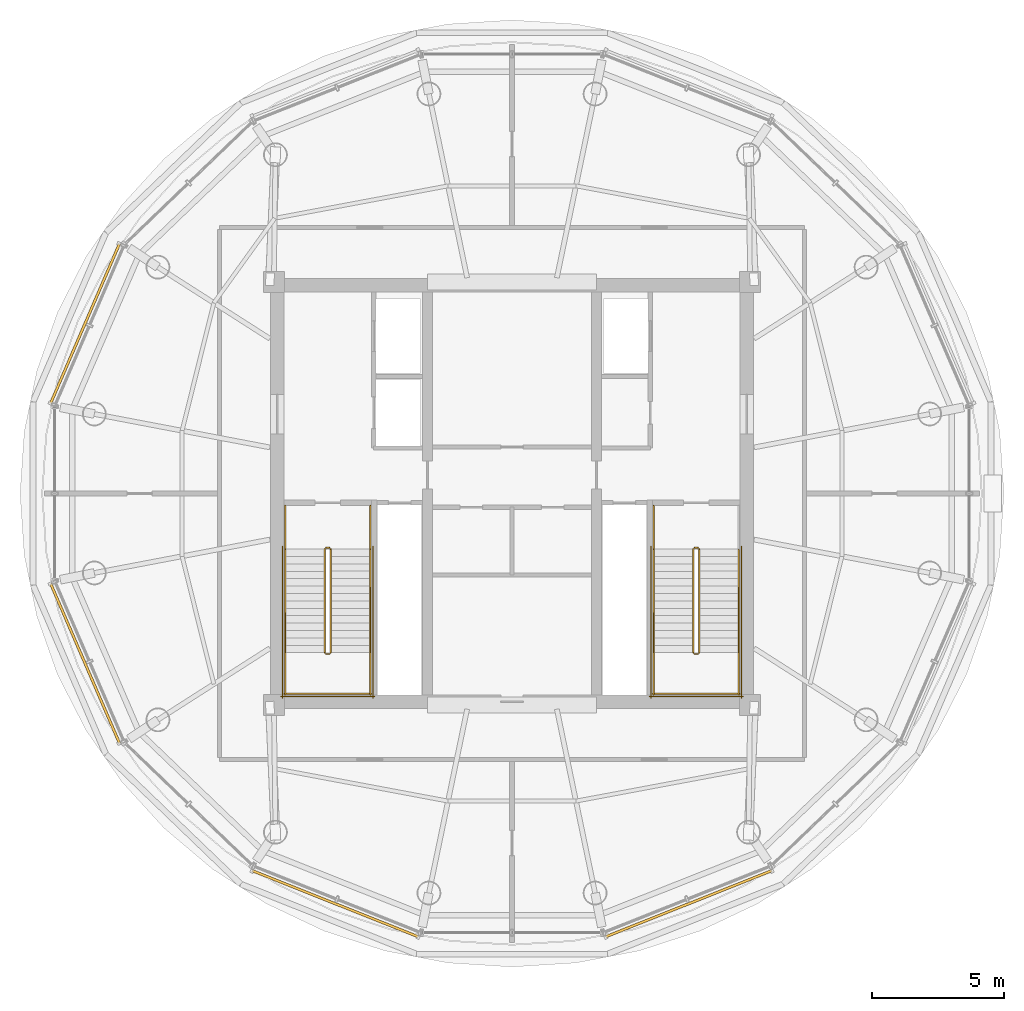
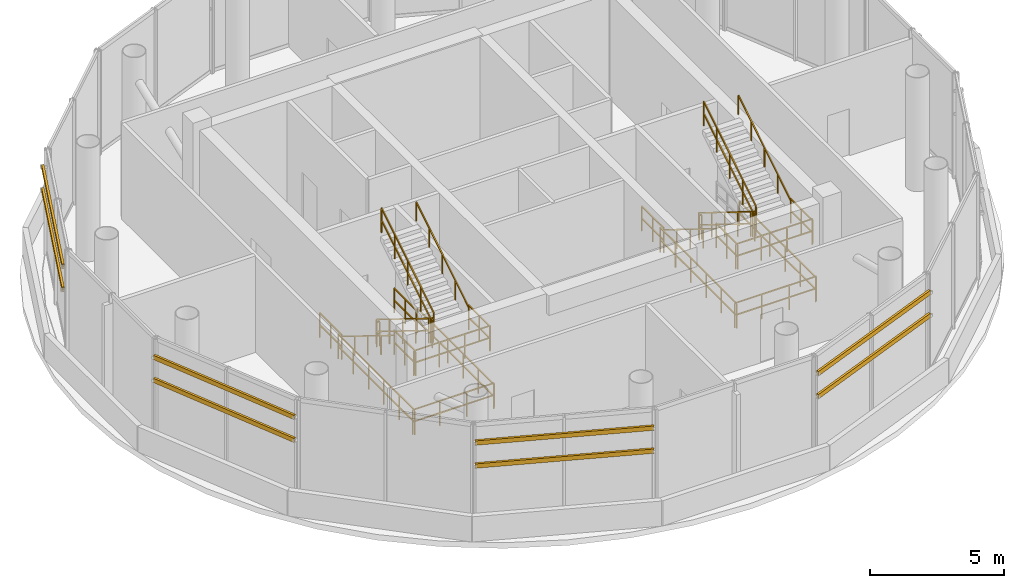
# One storey, part 14 of 15: 27 railings, 8 shading devices.
"""IFC4 building model written with IfcOpenShell, lengths in metres."""

import ifcopenshell
import ifcopenshell.guid

model = None  # the IFC model being written
_history = None  # IfcOwnerHistory: only IFC2X3 demands one
_inside = {}  # id of a spatial element -> (the spatial element, [elements in it])
_under = {}  # id of a project, library or spatial element -> (it, [spatial elements below it])
_declared = {}  # id of a project -> (the project, [libraries it declares])
_typed = {}  # id of a type object -> (the type object, [elements of that type])
_made_of = {}  # id of a material, layer set ... -> (it, [elements and type objects made of it])


def new_model(schema):
    """Start an empty IFC model of exactly this schema.

    Asked for "IFC4X3", IfcOpenShell would pick the latest addendum, in which some entities
    have other attributes; the version numbers below select the first issue.
    IFC2X3 requires an IfcOwnerHistory on every rooted entity: one is made here for all.
    """
    global model, _history
    if schema == "IFC4X3":
        model = ifcopenshell.file(schema_version=(4, 3, 0, 0))
    else:
        model = ifcopenshell.file(schema=schema)
    _inside.clear()
    _under.clear()
    _declared.clear()
    _typed.clear()
    _made_of.clear()
    _history = None
    if model.schema == "IFC2X3":
        org = make("IfcOrganization", Name="unknown")
        user = make(
            "IfcPersonAndOrganization",
            ThePerson=make("IfcPerson", FamilyName="unknown"),
            TheOrganization=org,
        )
        app = make(
            "IfcApplication",
            ApplicationDeveloper=org,
            Version="unknown",
            ApplicationFullName="unknown",
            ApplicationIdentifier="unknown",
        )
        _history = make(
            "IfcOwnerHistory",
            OwningUser=user,
            OwningApplication=app,
            ChangeAction="ADDED",
            CreationDate=0,
        )
    return model


def make(cls, **values):
    """One entity of the class cls with the attributes given. An attribute that is None is left unset."""
    return model.create_entity(
        cls, **{name: value for name, value in values.items() if value is not None}
    )


def rooted(cls, **values):
    """An entity with a GlobalId (a new one), such as an element, a storey or a relation."""
    return make(cls, GlobalId=ifcopenshell.guid.new(), OwnerHistory=_history, **values)


def si_unit(unit_type, name, prefix=None):
    """IfcSIUnit, for example si_unit("LENGTHUNIT", "METRE", prefix="MILLI")."""
    return make("IfcSIUnit", UnitType=unit_type, Prefix=prefix, Name=name)


def assignment(units):
    """IfcUnitAssignment: the units of a project."""
    return None if units is None else make("IfcUnitAssignment", Units=units)


def point(xyz):
    """IfcCartesianPoint."""
    return None if xyz is None else make("IfcCartesianPoint", Coordinates=xyz)


def direction(xyz):
    """IfcDirection."""
    return None if xyz is None else make("IfcDirection", DirectionRatios=xyz)


def frame(location, z_axis=None, x_axis=None):
    """IfcAxis2Placement3D, a coordinate frame: its origin and axes. An axis left out is left unset."""
    return make(
        "IfcAxis2Placement3D",
        Location=point(location),
        Axis=direction(z_axis),
        RefDirection=direction(x_axis),
    )


def frame_2d(location, x_axis=None):
    """IfcAxis2Placement2D, a coordinate frame in the plane: its origin and x axis."""
    return make(
        "IfcAxis2Placement2D", Location=point(location), RefDirection=direction(x_axis)
    )


def origin():
    """The frame at (0, 0, 0) with its axes left unset."""
    return frame((0.0, 0.0, 0.0))


def origin_2d():
    """The frame at (0, 0) in the plane with its x axis left unset."""
    return frame_2d((0.0, 0.0))


def place(relative_to, where):
    """IfcLocalPlacement: puts the frame where relative to a parent placement (None: the world)."""
    return make(
        "IfcLocalPlacement", PlacementRelTo=relative_to, RelativePlacement=where
    )


def context(
    kind, dimensions, precision=None, world=None, true_north=None, identifier=None
):
    """IfcGeometricRepresentationContext, for example the 3D "Model" context."""
    return make(
        "IfcGeometricRepresentationContext",
        ContextIdentifier=identifier,
        ContextType=kind,
        CoordinateSpaceDimension=dimensions,
        Precision=precision,
        WorldCoordinateSystem=world,
        TrueNorth=true_north,
    )


def subcontext(parent, identifier, kind, view, scale=None):
    """IfcGeometricRepresentationSubContext, for example "Body" below "Model"."""
    return make(
        "IfcGeometricRepresentationSubContext",
        ContextIdentifier=identifier,
        ContextType=kind,
        ParentContext=parent,
        TargetScale=scale,
        TargetView=view,
    )


def project(units=None, contexts=None):
    """IfcProject with its units and contexts."""
    return rooted(
        "IfcProject",
        Name="project",
        RepresentationContexts=contexts,
        UnitsInContext=assignment(units),
    )


def spatial(cls, under=None, at=None, **own):
    """A site, building, storey or space (cls), placed at a placement, below another one or the project."""
    s = rooted(cls, ObjectPlacement=at, **own)
    if under is not None:
        _under.setdefault(under.id(), (under, []))[1].append(s)
    return s


def profile(cls, at=None, kind="AREA", **sizes):
    """A parametric profile (cls). Its sizes go by their IFC names, for example OverallWidth=200.0."""
    return make(cls, ProfileType=kind, Position=at, **sizes)


def rectangle(**sizes):
    """IfcRectangleProfileDef."""
    return profile("IfcRectangleProfileDef", **sizes)


def hollow_rectangle(**sizes):
    """IfcRectangleHollowProfileDef."""
    return profile("IfcRectangleHollowProfileDef", **sizes)


def extrude(swept, where, along, depth):
    """IfcExtrudedAreaSolid: the profile swept, set in the frame where, extruded along a direction by depth."""
    return make(
        "IfcExtrudedAreaSolid",
        SweptArea=swept,
        Position=where,
        ExtrudedDirection=direction(along),
        Depth=depth,
    )


def shape(context_of_items, identifier, shape_type, items):
    """IfcShapeRepresentation: the items that make up one representation, for example the "Body"."""
    return make(
        "IfcShapeRepresentation",
        ContextOfItems=context_of_items,
        RepresentationIdentifier=identifier,
        RepresentationType=shape_type,
        Items=items,
    )


def source(mapping_origin, context_of_items, identifier, shape_type, items):
    """IfcRepresentationMap: a shape defined once, which mapped items show again and again."""
    return make(
        "IfcRepresentationMap",
        MappingOrigin=mapping_origin,
        MappedRepresentation=shape(context_of_items, identifier, shape_type, items),
    )


def transform(
    local_origin,
    x_axis=None,
    y_axis=None,
    z_axis=None,
    scale=None,
    scale2=None,
    scale3=None,
    uniform=True,
):
    """IfcCartesianTransformationOperator3D, or its non-uniform kind. x_axis, y_axis, z_axis: its Axis1, 2, 3."""
    if uniform:
        return make(
            "IfcCartesianTransformationOperator3D",
            Axis1=direction(x_axis),
            Axis2=direction(y_axis),
            LocalOrigin=point(local_origin),
            Scale=scale,
            Axis3=direction(z_axis),
        )
    return make(
        "IfcCartesianTransformationOperator3DnonUniform",
        Axis1=direction(x_axis),
        Axis2=direction(y_axis),
        LocalOrigin=point(local_origin),
        Scale=scale,
        Axis3=direction(z_axis),
        Scale2=scale2,
        Scale3=scale3,
    )


def mapped(mapping_source, mapping_target):
    """IfcMappedItem: shows the shape of a source again, moved by a transform."""
    return make(
        "IfcMappedItem", MappingSource=mapping_source, MappingTarget=mapping_target
    )


def material(Name=None, Category=None):
    """IfcMaterial."""
    return make("IfcMaterial", Name=Name, Category=Category)


def material_profile(
    of_material, cross_section, Name=None, Category=None, Priority=None
):
    """IfcMaterialProfile: a cross section and its material."""
    return make(
        "IfcMaterialProfile",
        Name=Name,
        Material=of_material,
        Profile=cross_section,
        Priority=Priority,
        Category=Category,
    )


def profile_set(profiles, Name=None, composite=None):
    """IfcMaterialProfileSet."""
    return make(
        "IfcMaterialProfileSet",
        Name=Name,
        MaterialProfiles=profiles,
        CompositeProfile=composite,
    )


def made_of(thing, what):
    """Note that an element or type object is made of a material, layer set ...; save() writes the relation."""
    if what is not None:
        _made_of.setdefault(what.id(), (what, []))[1].append(thing)
    return thing


def type_object(cls, material=None, **own):
    """A type object (cls), such as IfcWallType, which elements share."""
    return made_of(rooted(cls, **own), material)


def element(
    cls,
    number,
    at=None,
    inside=None,
    cuts=None,
    type_object=None,
    material=None,
    context=None,
    identifier="Body",
    shape_type=None,
    held_by="IfcProductDefinitionShape",
    body=None,
    shapes=None,
    **own,
):
    """One element of the class cls, such as IfcWall. Its Tag is "e" and its number.

    at: its placement. inside: the storey or other place that contains it. cuts: it is an
    opening in that element (IfcRelVoidsElement). A single representation is given by context,
    identifier, shape_type and body (its items); several are given by shapes. held_by: the class
    of the entity that holds the representations. save() writes the other relations.
    """
    e = rooted(cls, Tag="e%d" % number, ObjectPlacement=at, **own)
    if body is not None:
        shapes = [shape(context, identifier, shape_type, body)]
    if shapes is not None:
        e.Representation = make(held_by, Representations=shapes)
    if inside is not None:
        _inside.setdefault(inside.id(), (inside, []))[1].append(e)
    if cuts is not None:
        rooted(
            "IfcRelVoidsElement", RelatingBuildingElement=cuts, RelatedOpeningElement=e
        )
    if type_object is not None:
        _typed.setdefault(type_object.id(), (type_object, []))[1].append(e)
    return made_of(e, material)


def aggregate(whole, parts):
    """IfcRelAggregates: a whole, such as a stair, and the parts it consists of."""
    return rooted("IfcRelAggregates", RelatingObject=whole, RelatedObjects=parts)


def save(model, path):
    """Write the relations noted so far, then the file.

    IfcRelAggregates (storeys below a building ...), IfcRelContainedInSpatialStructure (elements
    in a storey), IfcRelDefinesByType, IfcRelAssociatesMaterial and IfcRelDeclares: one each for
    every whole, place, type object, material and project.
    """
    for whole, parts in _under.values():
        aggregate(whole, parts)
    for where, things in _inside.values():
        rooted(
            "IfcRelContainedInSpatialStructure",
            RelatedElements=things,
            RelatingStructure=where,
        )
    for kind, things in _typed.values():
        rooted("IfcRelDefinesByType", RelatedObjects=things, RelatingType=kind)
    for what, things in _made_of.values():
        rooted("IfcRelAssociatesMaterial", RelatedObjects=things, RelatingMaterial=what)
    for by, libraries in _declared.values():
        rooted("IfcRelDeclares", RelatingContext=by, RelatedDefinitions=libraries)
    model.write(path)


model = new_model("IFC4")

# Units and contexts
model_context = context("Model", 3, precision=1e-05, world=origin(), true_north=direction((-0.2419218956, 0.970295726276)))
body_context = subcontext(model_context, "Body", "Model", "MODEL_VIEW")
ifc_project = project(units=[si_unit("LENGTHUNIT", "METRE"), si_unit("AREAUNIT", "SQUARE_METRE"), si_unit("VOLUMEUNIT", "CUBIC_METRE"), si_unit("PLANEANGLEUNIT", "RADIAN"), si_unit("MASSUNIT", "GRAM", prefix="KILO")], contexts=[model_context])

# Site, building, storey
site_placement = place(None, origin())
site = spatial("IfcSite", under=ifc_project, at=site_placement, CompositionType="ELEMENT")
building_placement = place(site_placement, origin())
building = spatial("IfcBuilding", under=site, at=building_placement, Name="Cobrevalo Terracotta Tower", CompositionType="ELEMENT")
storey_placement = place(building_placement, frame((0.0, 0.0, 306.10009765625)))
storey = spatial("IfcBuildingStorey", under=building, at=storey_placement, Name="L80", CompositionType="ELEMENT", Elevation=306.10009765625)

# Railings
ifc_material_1 = material(Name="Brushed stainless steel", Category="steel")
railing_type_1 = type_object("IfcRailingType", Name="Stainless Steel Stair Handrail 900", PredefinedType="HANDRAIL", material=ifc_material_1)
railing_1_placement = place(storey_placement, frame((29.425048828125, 24.699951171875, 0.17333984375)))
element("IfcRailing", 1, at=railing_1_placement, inside=storey, type_object=railing_type_1, Name="L80 ST-1 stair handrail 1", PredefinedType="HANDRAIL", context=body_context, shape_type="SweptSolid", body=[
    extrude(rectangle(XDim=0.048095703125, YDim=0.048095703125, at=origin_2d()), frame((0.0, 0.0, 0.8759765625), z_axis=(0.0, -0.850275303828, 0.526338206574), x_axis=(1.0, 0.0, 0.0)), (0.0, 0.0, 1.0), 4.610107421875),
    extrude(rectangle(XDim=0.0419921875, YDim=0.0419921875, at=origin_2d()), origin(), (0.0, 0.0, 1.0), 0.851806640625),
    extrude(rectangle(XDim=0.0419921875, YDim=0.0419921875, at=origin_2d()), frame((0.0, -0.97998046875, 0.606689453125)), (0.0, 0.0, 1.0), 0.851806640625),
    extrude(rectangle(XDim=0.0419921875, YDim=0.0419921875, at=origin_2d()), frame((0.0, -1.9599609375, 1.21337890625)), (0.0, 0.0, 1.0), 0.851806640625),
    extrude(rectangle(XDim=0.0419921875, YDim=0.0419921875, at=origin_2d()), frame((0.0, -2.93994140625, 1.81982421875)), (0.0, 0.0, 1.0), 0.851806640625),
    extrude(rectangle(XDim=0.0419921875, YDim=0.0419921875, at=origin_2d()), frame((0.0, -3.919921875, 2.426513671875)), (0.0, 0.0, 1.0), 0.851806640625),
])
railing_2_placement = place(storey_placement, frame((32.64501953125, 20.780029296875, 2.773193359375)))
element("IfcRailing", 2, at=railing_2_placement, inside=storey, type_object=railing_type_1, Name="L80 ST-1 stair handrail 2", PredefinedType="HANDRAIL", context=body_context, shape_type="SweptSolid", body=[
    extrude(rectangle(XDim=0.048095703125, YDim=0.048095703125, at=origin_2d()), frame((0.0, 0.0, 0.8759765625), z_axis=(0.0, 0.850251603719, 0.526376491091), x_axis=(-1.0, 0.0, 0.0)), (0.0, 0.0, 1.0), 4.6103515625),
    extrude(rectangle(XDim=0.0419921875, YDim=0.0419921875, at=origin_2d()), origin(), (0.0, 0.0, 1.0), 0.851806640625),
    extrude(rectangle(XDim=0.0419921875, YDim=0.0419921875, at=origin_2d()), frame((0.0, 0.97998046875, 0.606689453125)), (0.0, 0.0, 1.0), 0.851806640625),
    extrude(rectangle(XDim=0.0419921875, YDim=0.0419921875, at=origin_2d()), frame((0.0, 1.9599609375, 1.21337890625)), (0.0, 0.0, 1.0), 0.851806640625),
    extrude(rectangle(XDim=0.0419921875, YDim=0.0419921875, at=origin_2d()), frame((0.0, 2.93994140625, 1.820068359375)), (0.0, 0.0, 1.0), 0.851806640625),
    extrude(rectangle(XDim=0.0419921875, YDim=0.0419921875, at=origin_2d()), frame((0.0, 3.919921875, 2.4267578125)), (0.0, 0.0, 1.0), 0.851806640625),
])
railing_3_placement = place(storey_placement, frame((43.35498046875, 24.699951171875, 0.17333984375)))
element("IfcRailing", 3, at=railing_3_placement, inside=storey, type_object=railing_type_1, Name="L80 ST-2 stair handrail 1", PredefinedType="HANDRAIL", context=body_context, shape_type="SweptSolid", body=[
    extrude(rectangle(XDim=0.048095703125, YDim=0.048095703125, at=origin_2d()), frame((0.0, 0.0, 0.8759765625), z_axis=(0.0, -0.850275303828, 0.526338206574), x_axis=(1.0, 0.0, 0.0)), (0.0, 0.0, 1.0), 4.610107421875),
    extrude(rectangle(XDim=0.0419921875, YDim=0.0419921875, at=origin_2d()), origin(), (0.0, 0.0, 1.0), 0.851806640625),
    extrude(rectangle(XDim=0.0419921875, YDim=0.0419921875, at=origin_2d()), frame((0.0, -0.97998046875, 0.606689453125)), (0.0, 0.0, 1.0), 0.851806640625),
    extrude(rectangle(XDim=0.0419921875, YDim=0.0419921875, at=origin_2d()), frame((0.0, -1.9599609375, 1.21337890625)), (0.0, 0.0, 1.0), 0.851806640625),
    extrude(rectangle(XDim=0.0419921875, YDim=0.0419921875, at=origin_2d()), frame((0.0, -2.93994140625, 1.81982421875)), (0.0, 0.0, 1.0), 0.851806640625),
    extrude(rectangle(XDim=0.0419921875, YDim=0.0419921875, at=origin_2d()), frame((0.0, -3.919921875, 2.426513671875)), (0.0, 0.0, 1.0), 0.851806640625),
])
railing_4_placement = place(storey_placement, frame((46.574951171875, 20.780029296875, 2.773193359375)))
element("IfcRailing", 4, at=railing_4_placement, inside=storey, type_object=railing_type_1, Name="L80 ST-2 stair handrail 2", PredefinedType="HANDRAIL", context=body_context, shape_type="SweptSolid", body=[
    extrude(rectangle(XDim=0.048095703125, YDim=0.048095703125, at=origin_2d()), frame((0.0, 0.0, 0.8759765625), z_axis=(0.0, 0.850251603719, 0.526376491091), x_axis=(-1.0, 0.0, 0.0)), (0.0, 0.0, 1.0), 4.6103515625),
    extrude(rectangle(XDim=0.0419921875, YDim=0.0419921875, at=origin_2d()), origin(), (0.0, 0.0, 1.0), 0.851806640625),
    extrude(rectangle(XDim=0.0419921875, YDim=0.0419921875, at=origin_2d()), frame((0.0, 0.97998046875, 0.606689453125)), (0.0, 0.0, 1.0), 0.851806640625),
    extrude(rectangle(XDim=0.0419921875, YDim=0.0419921875, at=origin_2d()), frame((0.0, 1.9599609375, 1.21337890625)), (0.0, 0.0, 1.0), 0.851806640625),
    extrude(rectangle(XDim=0.0419921875, YDim=0.0419921875, at=origin_2d()), frame((0.0, 2.93994140625, 1.820068359375)), (0.0, 0.0, 1.0), 0.851806640625),
    extrude(rectangle(XDim=0.0419921875, YDim=0.0419921875, at=origin_2d()), frame((0.0, 3.919921875, 2.4267578125)), (0.0, 0.0, 1.0), 0.851806640625),
])
ifc_material_2 = material(Name="Painted galvanized steel", Category="steel")
railing_type_2 = type_object("IfcRailingType", Name="Stair Well Guard Balustrade 1150", PredefinedType="GUARDRAIL", material=ifc_material_2)
railing_5_placement = place(storey_placement, frame((30.925048828125, 24.699951171875, 0.17333984375)))
element("IfcRailing", 5, at=railing_5_placement, inside=storey, type_object=railing_type_2, Name="L80 ST-1 stair guard 1", PredefinedType="GUARDRAIL", context=body_context, shape_type="SweptSolid", body=[
    extrude(rectangle(XDim=0.048095703125, YDim=0.048095703125, at=origin_2d()), frame((0.0, 0.0, 1.1259765625), z_axis=(0.0, -0.850275303828, 0.526338206574), x_axis=(1.0, 0.0, 0.0)), (0.0, 0.0, 1.0), 4.610107421875),
    extrude(rectangle(XDim=0.048095703125, YDim=0.048095703125, at=origin_2d()), frame((0.0, 0.0, 0.574951171875), z_axis=(0.0, -0.850275303828, 0.526338206574), x_axis=(1.0, 0.0, 0.0)), (0.0, 0.0, 1.0), 4.610107421875),
    extrude(rectangle(XDim=0.0419921875, YDim=0.0419921875, at=origin_2d()), origin(), (0.0, 0.0, 1.0), 1.101806640625),
    extrude(rectangle(XDim=0.0419921875, YDim=0.0419921875, at=origin_2d()), frame((0.0, -0.97998046875, 0.606689453125)), (0.0, 0.0, 1.0), 1.101806640625),
    extrude(rectangle(XDim=0.0419921875, YDim=0.0419921875, at=origin_2d()), frame((0.0, -1.9599609375, 1.21337890625)), (0.0, 0.0, 1.0), 1.101806640625),
    extrude(rectangle(XDim=0.0419921875, YDim=0.0419921875, at=origin_2d()), frame((0.0, -2.93994140625, 1.81982421875)), (0.0, 0.0, 1.0), 1.101806640625),
    extrude(rectangle(XDim=0.0419921875, YDim=0.0419921875, at=origin_2d()), frame((0.0, -3.919921875, 2.426513671875)), (0.0, 0.0, 1.0), 1.101806640625),
])
railing_6_placement = place(storey_placement, frame((30.97509765625, 20.72998046875, 2.599853515625)))
element("IfcRailing", 6, at=railing_6_placement, inside=storey, type_object=railing_type_2, Name="L80 ST-1 stair guard 2", PredefinedType="GUARDRAIL", context=body_context, shape_type="SweptSolid", body=[
    extrude(rectangle(XDim=0.048095703125, YDim=0.048095703125, at=origin_2d()), frame((0.0, 0.0, 1.1259765625), z_axis=(1.0, 0.0, 0.0), x_axis=(0.0, 1.0, 0.0)), (0.0, 0.0, 1.0), 0.119873046875),
    extrude(rectangle(XDim=0.048095703125, YDim=0.048095703125, at=origin_2d()), frame((0.0, 0.0, 0.574951171875), z_axis=(1.0, 0.0, 0.0), x_axis=(0.0, 1.0, 0.0)), (0.0, 0.0, 1.0), 0.119873046875),
    extrude(rectangle(XDim=0.0419921875, YDim=0.0419921875, at=origin_2d()), origin(), (0.0, 0.0, 1.0), 1.101806640625),
    extrude(rectangle(XDim=0.0419921875, YDim=0.0419921875, at=origin_2d()), frame((0.119873046875, 0.0, 0.0)), (0.0, 0.0, 1.0), 1.101806640625),
])
for number, where, name in (
    (7, (29.425048828125, 20.780029296875, 2.599853515625), "L80 ST-1 stair guard 3"),
    (8, (32.64501953125, 20.780029296875, 2.599853515625), "L80 ST-1 stair guard 4"),
):
    element("IfcRailing", number, at=place(storey_placement, frame(where)), inside=storey, type_object=railing_type_2, Name=name, PredefinedType="GUARDRAIL", context=body_context, shape_type="SweptSolid", body=[
        extrude(rectangle(XDim=0.048095703125, YDim=0.048095703125, at=origin_2d()), frame((0.0, 0.0, 1.1259765625), z_axis=(0.0, -1.0, 0.0), x_axis=(1.0, 0.0, 0.0)), (0.0, 0.0, 1.0), 1.60498046875),
        extrude(rectangle(XDim=0.048095703125, YDim=0.048095703125, at=origin_2d()), frame((0.0, 0.0, 0.574951171875), z_axis=(0.0, -1.0, 0.0), x_axis=(1.0, 0.0, 0.0)), (0.0, 0.0, 1.0), 1.60498046875),
        extrude(rectangle(XDim=0.0419921875, YDim=0.0419921875, at=origin_2d()), origin(), (0.0, 0.0, 1.0), 1.101806640625),
        extrude(rectangle(XDim=0.0419921875, YDim=0.0419921875, at=origin_2d()), frame((0.0, -0.802490234375, 0.0)), (0.0, 0.0, 1.0), 1.101806640625),
        extrude(rectangle(XDim=0.0419921875, YDim=0.0419921875, at=origin_2d()), frame((0.0, -1.60498046875, 0.0)), (0.0, 0.0, 1.0), 1.101806640625),
    ])
railing_7_placement = place(storey_placement, frame((29.375, 19.22509765625, 2.599853515625)))
element("IfcRailing", 9, at=railing_7_placement, inside=storey, type_object=railing_type_2, Name="L80 ST-1 stair guard 5", PredefinedType="GUARDRAIL", context=body_context, shape_type="SweptSolid", body=[
    extrude(rectangle(XDim=0.048095703125, YDim=0.048095703125, at=origin_2d()), frame((0.0, 0.0, 1.1259765625), z_axis=(1.0, 0.0, 0.0), x_axis=(0.0, 1.0, 0.0)), (0.0, 0.0, 1.0), 3.320068359375),
    extrude(rectangle(XDim=0.048095703125, YDim=0.048095703125, at=origin_2d()), frame((0.0, 0.0, 0.574951171875), z_axis=(1.0, 0.0, 0.0), x_axis=(0.0, 1.0, 0.0)), (0.0, 0.0, 1.0), 3.320068359375),
    extrude(rectangle(XDim=0.0419921875, YDim=0.0419921875, at=origin_2d()), origin(), (0.0, 0.0, 1.0), 1.101806640625),
    extrude(rectangle(XDim=0.0419921875, YDim=0.0419921875, at=origin_2d()), frame((1.106689453125, 0.0, 0.0)), (0.0, 0.0, 1.0), 1.101806640625),
    extrude(rectangle(XDim=0.0419921875, YDim=0.0419921875, at=origin_2d()), frame((2.21337890625, 0.0, 0.0)), (0.0, 0.0, 1.0), 1.101806640625),
    extrude(rectangle(XDim=0.0419921875, YDim=0.0419921875, at=origin_2d()), frame((3.320068359375, 0.0, 0.0)), (0.0, 0.0, 1.0), 1.101806640625),
])
railing_8_placement = place(storey_placement, frame((31.14501953125, 20.780029296875, 2.773193359375)))
element("IfcRailing", 10, at=railing_8_placement, inside=storey, type_object=railing_type_2, Name="L80 ST-1 stair guard 6", PredefinedType="GUARDRAIL", context=body_context, shape_type="SweptSolid", body=[
    extrude(rectangle(XDim=0.048095703125, YDim=0.048095703125, at=origin_2d()), frame((0.0, 0.0, 1.1259765625), z_axis=(0.0, 0.850251603719, 0.526376491091), x_axis=(-1.0, 0.0, 0.0)), (0.0, 0.0, 1.0), 4.6103515625),
    extrude(rectangle(XDim=0.048095703125, YDim=0.048095703125, at=origin_2d()), frame((0.0, 0.0, 0.574951171875), z_axis=(0.0, 0.850251603719, 0.526376491091), x_axis=(-1.0, 0.0, 0.0)), (0.0, 0.0, 1.0), 4.6103515625),
    extrude(rectangle(XDim=0.0419921875, YDim=0.0419921875, at=origin_2d()), origin(), (0.0, 0.0, 1.0), 1.101806640625),
    extrude(rectangle(XDim=0.0419921875, YDim=0.0419921875, at=origin_2d()), frame((0.0, 0.97998046875, 0.606689453125)), (0.0, 0.0, 1.0), 1.101806640625),
    extrude(rectangle(XDim=0.0419921875, YDim=0.0419921875, at=origin_2d()), frame((0.0, 1.9599609375, 1.21337890625)), (0.0, 0.0, 1.0), 1.101806640625),
    extrude(rectangle(XDim=0.0419921875, YDim=0.0419921875, at=origin_2d()), frame((0.0, 2.93994140625, 1.820068359375)), (0.0, 0.0, 1.0), 1.101806640625),
    extrude(rectangle(XDim=0.0419921875, YDim=0.0419921875, at=origin_2d()), frame((0.0, 3.919921875, 2.4267578125)), (0.0, 0.0, 1.0), 1.101806640625),
])
railing_9_placement = place(storey_placement, frame((30.97509765625, 24.75, 0.0)))
element("IfcRailing", 11, at=railing_9_placement, inside=storey, type_object=railing_type_2, Name="L80 ST-1 stair guard 7", PredefinedType="GUARDRAIL", context=body_context, shape_type="SweptSolid", body=[
    extrude(rectangle(XDim=0.048095703125, YDim=0.048095703125, at=origin_2d()), frame((0.0, 0.0, 1.1259765625), z_axis=(1.0, 0.0, 0.0), x_axis=(0.0, 1.0, 0.0)), (0.0, 0.0, 1.0), 0.119873046875),
    extrude(rectangle(XDim=0.048095703125, YDim=0.048095703125, at=origin_2d()), frame((0.0, 0.0, 0.574951171875), z_axis=(1.0, 0.0, 0.0), x_axis=(0.0, 1.0, 0.0)), (0.0, 0.0, 1.0), 0.119873046875),
    extrude(rectangle(XDim=0.0419921875, YDim=0.0419921875, at=origin_2d()), origin(), (0.0, 0.0, 1.0), 1.101806640625),
    extrude(rectangle(XDim=0.0419921875, YDim=0.0419921875, at=origin_2d()), frame((0.119873046875, 0.0, 0.0)), (0.0, 0.0, 1.0), 1.101806640625),
])
for number, where, name in (
    (12, (29.425048828125, 26.35009765625, 0.0), "L80 ST-1 stair guard 8"),
    (13, (32.64501953125, 26.35009765625, 0.0), "L80 ST-1 stair guard 9"),
):
    element("IfcRailing", number, at=place(storey_placement, frame(where)), inside=storey, type_object=railing_type_2, Name=name, PredefinedType="GUARDRAIL", context=body_context, shape_type="SweptSolid", body=[
        extrude(rectangle(XDim=0.048095703125, YDim=0.048095703125, at=origin_2d()), frame((0.0, 0.0, 1.1259765625), z_axis=(0.0, -1.0, 0.0), x_axis=(1.0, 0.0, 0.0)), (0.0, 0.0, 1.0), 1.650146484375),
        extrude(rectangle(XDim=0.048095703125, YDim=0.048095703125, at=origin_2d()), frame((0.0, 0.0, 0.574951171875), z_axis=(0.0, -1.0, 0.0), x_axis=(1.0, 0.0, 0.0)), (0.0, 0.0, 1.0), 1.650146484375),
        extrude(rectangle(XDim=0.0419921875, YDim=0.0419921875, at=origin_2d()), origin(), (0.0, 0.0, 1.0), 1.101806640625),
        extrude(rectangle(XDim=0.0419921875, YDim=0.0419921875, at=origin_2d()), frame((0.0, -0.8251953125, 0.0)), (0.0, 0.0, 1.0), 1.101806640625),
        extrude(rectangle(XDim=0.0419921875, YDim=0.0419921875, at=origin_2d()), frame((0.0, -1.650146484375, 0.0)), (0.0, 0.0, 1.0), 1.101806640625),
    ])
for number, where, name in (
    (14, (29.324951171875, 24.800048828125, 0.0), "L80 ST-1 stair guard 10"),
    (15, (32.7451171875, 24.800048828125, 0.0), "L80 ST-1 stair guard 11"),
):
    element("IfcRailing", number, at=place(storey_placement, frame(where)), inside=storey, type_object=railing_type_2, Name=name, PredefinedType="GUARDRAIL", context=body_context, shape_type="SweptSolid", body=[
        extrude(rectangle(XDim=0.048095703125, YDim=0.048095703125, at=origin_2d()), frame((0.0, 0.0, 1.1259765625), z_axis=(0.0, -1.0, 0.0), x_axis=(1.0, 0.0, 0.0)), (0.0, 0.0, 1.0), 5.72509765625),
        extrude(rectangle(XDim=0.048095703125, YDim=0.048095703125, at=origin_2d()), frame((0.0, 0.0, 0.574951171875), z_axis=(0.0, -1.0, 0.0), x_axis=(1.0, 0.0, 0.0)), (0.0, 0.0, 1.0), 5.72509765625),
        extrude(rectangle(XDim=0.0419921875, YDim=0.0419921875, at=origin_2d()), origin(), (0.0, 0.0, 1.0), 1.101806640625),
        extrude(rectangle(XDim=0.0419921875, YDim=0.0419921875, at=origin_2d()), frame((0.0, -1.14501953125, 0.0)), (0.0, 0.0, 1.0), 1.101806640625),
        extrude(rectangle(XDim=0.0419921875, YDim=0.0419921875, at=origin_2d()), frame((0.0, -2.2900390625, 0.0)), (0.0, 0.0, 1.0), 1.101806640625),
        extrude(rectangle(XDim=0.0419921875, YDim=0.0419921875, at=origin_2d()), frame((0.0, -3.43505859375, 0.0)), (0.0, 0.0, 1.0), 1.101806640625),
        extrude(rectangle(XDim=0.0419921875, YDim=0.0419921875, at=origin_2d()), frame((0.0, -4.580078125, 0.0)), (0.0, 0.0, 1.0), 1.101806640625),
        extrude(rectangle(XDim=0.0419921875, YDim=0.0419921875, at=origin_2d()), frame((0.0, -5.72509765625, 0.0)), (0.0, 0.0, 1.0), 1.101806640625),
    ])
railing_10_placement = place(storey_placement, frame((29.27490234375, 19.125, 0.0)))
element("IfcRailing", 16, at=railing_10_placement, inside=storey, type_object=railing_type_2, Name="L80 ST-1 stair guard 12", PredefinedType="GUARDRAIL", context=body_context, shape_type="SweptSolid", body=[
    extrude(rectangle(XDim=0.048095703125, YDim=0.048095703125, at=origin_2d()), frame((0.0, 0.0, 1.1259765625), z_axis=(1.0, 0.0, 0.0), x_axis=(0.0, 1.0, 0.0)), (0.0, 0.0, 1.0), 3.52001953125),
    extrude(rectangle(XDim=0.048095703125, YDim=0.048095703125, at=origin_2d()), frame((0.0, 0.0, 0.574951171875), z_axis=(1.0, 0.0, 0.0), x_axis=(0.0, 1.0, 0.0)), (0.0, 0.0, 1.0), 3.52001953125),
    extrude(rectangle(XDim=0.0419921875, YDim=0.0419921875, at=origin_2d()), origin(), (0.0, 0.0, 1.0), 1.101806640625),
    extrude(rectangle(XDim=0.0419921875, YDim=0.0419921875, at=origin_2d()), frame((1.17333984375, 0.0, 0.0)), (0.0, 0.0, 1.0), 1.101806640625),
    extrude(rectangle(XDim=0.0419921875, YDim=0.0419921875, at=origin_2d()), frame((2.3466796875, 0.0, 0.0)), (0.0, 0.0, 1.0), 1.101806640625),
    extrude(rectangle(XDim=0.0419921875, YDim=0.0419921875, at=origin_2d()), frame((3.52001953125, 0.0, 0.0)), (0.0, 0.0, 1.0), 1.101806640625),
])
railing_11_placement = place(storey_placement, frame((44.85498046875, 24.699951171875, 0.17333984375)))
element("IfcRailing", 17, at=railing_11_placement, inside=storey, type_object=railing_type_2, Name="L80 ST-2 stair guard 1", PredefinedType="GUARDRAIL", context=body_context, shape_type="SweptSolid", body=[
    extrude(rectangle(XDim=0.048095703125, YDim=0.048095703125, at=origin_2d()), frame((0.0, 0.0, 1.1259765625), z_axis=(0.0, -0.850275303828, 0.526338206574), x_axis=(1.0, 0.0, 0.0)), (0.0, 0.0, 1.0), 4.610107421875),
    extrude(rectangle(XDim=0.048095703125, YDim=0.048095703125, at=origin_2d()), frame((0.0, 0.0, 0.574951171875), z_axis=(0.0, -0.850275303828, 0.526338206574), x_axis=(1.0, 0.0, 0.0)), (0.0, 0.0, 1.0), 4.610107421875),
    extrude(rectangle(XDim=0.0419921875, YDim=0.0419921875, at=origin_2d()), origin(), (0.0, 0.0, 1.0), 1.101806640625),
    extrude(rectangle(XDim=0.0419921875, YDim=0.0419921875, at=origin_2d()), frame((0.0, -0.97998046875, 0.606689453125)), (0.0, 0.0, 1.0), 1.101806640625),
    extrude(rectangle(XDim=0.0419921875, YDim=0.0419921875, at=origin_2d()), frame((0.0, -1.9599609375, 1.21337890625)), (0.0, 0.0, 1.0), 1.101806640625),
    extrude(rectangle(XDim=0.0419921875, YDim=0.0419921875, at=origin_2d()), frame((0.0, -2.93994140625, 1.81982421875)), (0.0, 0.0, 1.0), 1.101806640625),
    extrude(rectangle(XDim=0.0419921875, YDim=0.0419921875, at=origin_2d()), frame((0.0, -3.919921875, 2.426513671875)), (0.0, 0.0, 1.0), 1.101806640625),
])
railing_12_placement = place(storey_placement, frame((44.905029296875, 20.72998046875, 2.599853515625)))
element("IfcRailing", 18, at=railing_12_placement, inside=storey, type_object=railing_type_2, Name="L80 ST-2 stair guard 2", PredefinedType="GUARDRAIL", context=body_context, shape_type="SweptSolid", body=[
    extrude(rectangle(XDim=0.048095703125, YDim=0.048095703125, at=origin_2d()), frame((0.0, 0.0, 1.1259765625), z_axis=(1.0, 0.0, 0.0), x_axis=(0.0, 1.0, 0.0)), (0.0, 0.0, 1.0), 0.119873046875),
    extrude(rectangle(XDim=0.048095703125, YDim=0.048095703125, at=origin_2d()), frame((0.0, 0.0, 0.574951171875), z_axis=(1.0, 0.0, 0.0), x_axis=(0.0, 1.0, 0.0)), (0.0, 0.0, 1.0), 0.119873046875),
    extrude(rectangle(XDim=0.0419921875, YDim=0.0419921875, at=origin_2d()), origin(), (0.0, 0.0, 1.0), 1.101806640625),
    extrude(rectangle(XDim=0.0419921875, YDim=0.0419921875, at=origin_2d()), frame((0.119873046875, 0.0, 0.0)), (0.0, 0.0, 1.0), 1.101806640625),
])
for number, where, name in (
    (19, (43.35498046875, 20.780029296875, 2.599853515625), "L80 ST-2 stair guard 3"),
    (20, (46.574951171875, 20.780029296875, 2.599853515625), "L80 ST-2 stair guard 4"),
):
    element("IfcRailing", number, at=place(storey_placement, frame(where)), inside=storey, type_object=railing_type_2, Name=name, PredefinedType="GUARDRAIL", context=body_context, shape_type="SweptSolid", body=[
        extrude(rectangle(XDim=0.048095703125, YDim=0.048095703125, at=origin_2d()), frame((0.0, 0.0, 1.1259765625), z_axis=(0.0, -1.0, 0.0), x_axis=(1.0, 0.0, 0.0)), (0.0, 0.0, 1.0), 1.60498046875),
        extrude(rectangle(XDim=0.048095703125, YDim=0.048095703125, at=origin_2d()), frame((0.0, 0.0, 0.574951171875), z_axis=(0.0, -1.0, 0.0), x_axis=(1.0, 0.0, 0.0)), (0.0, 0.0, 1.0), 1.60498046875),
        extrude(rectangle(XDim=0.0419921875, YDim=0.0419921875, at=origin_2d()), origin(), (0.0, 0.0, 1.0), 1.101806640625),
        extrude(rectangle(XDim=0.0419921875, YDim=0.0419921875, at=origin_2d()), frame((0.0, -0.802490234375, 0.0)), (0.0, 0.0, 1.0), 1.101806640625),
        extrude(rectangle(XDim=0.0419921875, YDim=0.0419921875, at=origin_2d()), frame((0.0, -1.60498046875, 0.0)), (0.0, 0.0, 1.0), 1.101806640625),
    ])
railing_13_placement = place(storey_placement, frame((43.304931640625, 19.22509765625, 2.599853515625)))
element("IfcRailing", 21, at=railing_13_placement, inside=storey, type_object=railing_type_2, Name="L80 ST-2 stair guard 5", PredefinedType="GUARDRAIL", context=body_context, shape_type="SweptSolid", body=[
    extrude(rectangle(XDim=0.048095703125, YDim=0.048095703125, at=origin_2d()), frame((0.0, 0.0, 1.1259765625), z_axis=(1.0, 0.0, 0.0), x_axis=(0.0, 1.0, 0.0)), (0.0, 0.0, 1.0), 3.320068359375),
    extrude(rectangle(XDim=0.048095703125, YDim=0.048095703125, at=origin_2d()), frame((0.0, 0.0, 0.574951171875), z_axis=(1.0, 0.0, 0.0), x_axis=(0.0, 1.0, 0.0)), (0.0, 0.0, 1.0), 3.320068359375),
    extrude(rectangle(XDim=0.0419921875, YDim=0.0419921875, at=origin_2d()), origin(), (0.0, 0.0, 1.0), 1.101806640625),
    extrude(rectangle(XDim=0.0419921875, YDim=0.0419921875, at=origin_2d()), frame((1.106689453125, 0.0, 0.0)), (0.0, 0.0, 1.0), 1.101806640625),
    extrude(rectangle(XDim=0.0419921875, YDim=0.0419921875, at=origin_2d()), frame((2.21337890625, 0.0, 0.0)), (0.0, 0.0, 1.0), 1.101806640625),
    extrude(rectangle(XDim=0.0419921875, YDim=0.0419921875, at=origin_2d()), frame((3.320068359375, 0.0, 0.0)), (0.0, 0.0, 1.0), 1.101806640625),
])
railing_14_placement = place(storey_placement, frame((45.074951171875, 20.780029296875, 2.773193359375)))
element("IfcRailing", 22, at=railing_14_placement, inside=storey, type_object=railing_type_2, Name="L80 ST-2 stair guard 6", PredefinedType="GUARDRAIL", context=body_context, shape_type="SweptSolid", body=[
    extrude(rectangle(XDim=0.048095703125, YDim=0.048095703125, at=origin_2d()), frame((0.0, 0.0, 1.1259765625), z_axis=(0.0, 0.850251603719, 0.526376491091), x_axis=(-1.0, 0.0, 0.0)), (0.0, 0.0, 1.0), 4.6103515625),
    extrude(rectangle(XDim=0.048095703125, YDim=0.048095703125, at=origin_2d()), frame((0.0, 0.0, 0.574951171875), z_axis=(0.0, 0.850251603719, 0.526376491091), x_axis=(-1.0, 0.0, 0.0)), (0.0, 0.0, 1.0), 4.6103515625),
    extrude(rectangle(XDim=0.0419921875, YDim=0.0419921875, at=origin_2d()), origin(), (0.0, 0.0, 1.0), 1.101806640625),
    extrude(rectangle(XDim=0.0419921875, YDim=0.0419921875, at=origin_2d()), frame((0.0, 0.97998046875, 0.606689453125)), (0.0, 0.0, 1.0), 1.101806640625),
    extrude(rectangle(XDim=0.0419921875, YDim=0.0419921875, at=origin_2d()), frame((0.0, 1.9599609375, 1.21337890625)), (0.0, 0.0, 1.0), 1.101806640625),
    extrude(rectangle(XDim=0.0419921875, YDim=0.0419921875, at=origin_2d()), frame((0.0, 2.93994140625, 1.820068359375)), (0.0, 0.0, 1.0), 1.101806640625),
    extrude(rectangle(XDim=0.0419921875, YDim=0.0419921875, at=origin_2d()), frame((0.0, 3.919921875, 2.4267578125)), (0.0, 0.0, 1.0), 1.101806640625),
])
railing_15_placement = place(storey_placement, frame((44.905029296875, 24.75, 0.0)))
element("IfcRailing", 23, at=railing_15_placement, inside=storey, type_object=railing_type_2, Name="L80 ST-2 stair guard 7", PredefinedType="GUARDRAIL", context=body_context, shape_type="SweptSolid", body=[
    extrude(rectangle(XDim=0.048095703125, YDim=0.048095703125, at=origin_2d()), frame((0.0, 0.0, 1.1259765625), z_axis=(1.0, 0.0, 0.0), x_axis=(0.0, 1.0, 0.0)), (0.0, 0.0, 1.0), 0.119873046875),
    extrude(rectangle(XDim=0.048095703125, YDim=0.048095703125, at=origin_2d()), frame((0.0, 0.0, 0.574951171875), z_axis=(1.0, 0.0, 0.0), x_axis=(0.0, 1.0, 0.0)), (0.0, 0.0, 1.0), 0.119873046875),
    extrude(rectangle(XDim=0.0419921875, YDim=0.0419921875, at=origin_2d()), origin(), (0.0, 0.0, 1.0), 1.101806640625),
    extrude(rectangle(XDim=0.0419921875, YDim=0.0419921875, at=origin_2d()), frame((0.119873046875, 0.0, 0.0)), (0.0, 0.0, 1.0), 1.101806640625),
])
railing_16_placement = place(storey_placement, frame((43.35498046875, 26.35009765625, 0.0)))
element("IfcRailing", 24, at=railing_16_placement, inside=storey, type_object=railing_type_2, Name="L80 ST-2 stair guard 8", PredefinedType="GUARDRAIL", context=body_context, shape_type="SweptSolid", body=[
    extrude(rectangle(XDim=0.048095703125, YDim=0.048095703125, at=origin_2d()), frame((0.0, 0.0, 1.1259765625), z_axis=(0.0, -1.0, 0.0), x_axis=(1.0, 0.0, 0.0)), (0.0, 0.0, 1.0), 1.650146484375),
    extrude(rectangle(XDim=0.048095703125, YDim=0.048095703125, at=origin_2d()), frame((0.0, 0.0, 0.574951171875), z_axis=(0.0, -1.0, 0.0), x_axis=(1.0, 0.0, 0.0)), (0.0, 0.0, 1.0), 1.650146484375),
    extrude(rectangle(XDim=0.0419921875, YDim=0.0419921875, at=origin_2d()), origin(), (0.0, 0.0, 1.0), 1.101806640625),
    extrude(rectangle(XDim=0.0419921875, YDim=0.0419921875, at=origin_2d()), frame((0.0, -0.8251953125, 0.0)), (0.0, 0.0, 1.0), 1.101806640625),
    extrude(rectangle(XDim=0.0419921875, YDim=0.0419921875, at=origin_2d()), frame((0.0, -1.650146484375, 0.0)), (0.0, 0.0, 1.0), 1.101806640625),
])
for number, where, name in (
    (25, (43.2548828125, 24.800048828125, 0.0), "L80 ST-2 stair guard 10"),
    (26, (46.675048828125, 24.800048828125, 0.0), "L80 ST-2 stair guard 11"),
):
    element("IfcRailing", number, at=place(storey_placement, frame(where)), inside=storey, type_object=railing_type_2, Name=name, PredefinedType="GUARDRAIL", context=body_context, shape_type="SweptSolid", body=[
        extrude(rectangle(XDim=0.048095703125, YDim=0.048095703125, at=origin_2d()), frame((0.0, 0.0, 1.1259765625), z_axis=(0.0, -1.0, 0.0), x_axis=(1.0, 0.0, 0.0)), (0.0, 0.0, 1.0), 5.72509765625),
        extrude(rectangle(XDim=0.048095703125, YDim=0.048095703125, at=origin_2d()), frame((0.0, 0.0, 0.574951171875), z_axis=(0.0, -1.0, 0.0), x_axis=(1.0, 0.0, 0.0)), (0.0, 0.0, 1.0), 5.72509765625),
        extrude(rectangle(XDim=0.0419921875, YDim=0.0419921875, at=origin_2d()), origin(), (0.0, 0.0, 1.0), 1.101806640625),
        extrude(rectangle(XDim=0.0419921875, YDim=0.0419921875, at=origin_2d()), frame((0.0, -1.14501953125, 0.0)), (0.0, 0.0, 1.0), 1.101806640625),
        extrude(rectangle(XDim=0.0419921875, YDim=0.0419921875, at=origin_2d()), frame((0.0, -2.2900390625, 0.0)), (0.0, 0.0, 1.0), 1.101806640625),
        extrude(rectangle(XDim=0.0419921875, YDim=0.0419921875, at=origin_2d()), frame((0.0, -3.43505859375, 0.0)), (0.0, 0.0, 1.0), 1.101806640625),
        extrude(rectangle(XDim=0.0419921875, YDim=0.0419921875, at=origin_2d()), frame((0.0, -4.580078125, 0.0)), (0.0, 0.0, 1.0), 1.101806640625),
        extrude(rectangle(XDim=0.0419921875, YDim=0.0419921875, at=origin_2d()), frame((0.0, -5.72509765625, 0.0)), (0.0, 0.0, 1.0), 1.101806640625),
    ])
railing_17_placement = place(storey_placement, frame((43.205078125, 19.125, 0.0)))
element("IfcRailing", 27, at=railing_17_placement, inside=storey, type_object=railing_type_2, Name="L80 ST-2 stair guard 12", PredefinedType="GUARDRAIL", context=body_context, shape_type="SweptSolid", body=[
    extrude(rectangle(XDim=0.048095703125, YDim=0.048095703125, at=origin_2d()), frame((0.0, 0.0, 1.1259765625), z_axis=(1.0, 0.0, 0.0), x_axis=(0.0, 1.0, 0.0)), (0.0, 0.0, 1.0), 3.52001953125),
    extrude(rectangle(XDim=0.048095703125, YDim=0.048095703125, at=origin_2d()), frame((0.0, 0.0, 0.574951171875), z_axis=(1.0, 0.0, 0.0), x_axis=(0.0, 1.0, 0.0)), (0.0, 0.0, 1.0), 3.52001953125),
    extrude(rectangle(XDim=0.0419921875, YDim=0.0419921875, at=origin_2d()), origin(), (0.0, 0.0, 1.0), 1.101806640625),
    extrude(rectangle(XDim=0.0419921875, YDim=0.0419921875, at=origin_2d()), frame((1.17333984375, 0.0, 0.0)), (0.0, 0.0, 1.0), 1.101806640625),
    extrude(rectangle(XDim=0.0419921875, YDim=0.0419921875, at=origin_2d()), frame((2.3466796875, 0.0, 0.0)), (0.0, 0.0, 1.0), 1.101806640625),
    extrude(rectangle(XDim=0.0419921875, YDim=0.0419921875, at=origin_2d()), frame((3.52001953125, 0.0, 0.0)), (0.0, 0.0, 1.0), 1.101806640625),
])

# Shading devices
ifc_material_3 = material(Name="Extruded fired architectural terracotta", Category="masonry")
ifc_material_profile = material_profile(ifc_material_3, hollow_rectangle(XDim=0.094970703125, YDim=0.199951171875, WallThickness=0.01611328125, at=origin_2d()), Name="BAGUETTE 95x200")
ifc_profile_set = profile_set([ifc_material_profile], Name="Extruded fired architectural terracotta")
shading_device_type = type_object("IfcShadingDeviceType", Name="Upper-Zone Terracotta Baguette Screen 95x200", PredefinedType="USERDEFINED", material=ifc_profile_set)
shared_shape_1 = source(origin(), body_context, "Body", "SweptSolid", [
    extrude(hollow_rectangle(XDim=0.094970703125, YDim=0.199951171875, WallThickness=0.01611328125, at=origin_2d()), origin(), (0.0, 0.0, 1.0), 6.566650390625),
])
for number, where, z_axis, x_axis, name in (
    (28, (23.16015625, 36.240478515625, 2.963623046875), (-0.396072057664, -0.91821943191, 0.0), (0.91821943191, -0.396072057664, 0.0), "CW-CRN-L80-S07 horizontal terracotta baguette 1"),
    (29, (23.16015625, 36.240478515625, 4.01513671875), (-0.396072057664, -0.91821943191, 0.0), (0.91821943191, -0.396072057664, 0.0), "CW-CRN-L80-S07 horizontal terracotta baguette 2"),
    (30, (20.559326171875, 23.38916015625, 2.963623046875), (0.396072057664, -0.91821943191, 0.0), (0.91821943191, 0.396072057664, 0.0), "CW-CRN-L80-S09 horizontal terracotta baguette 1"),
    (31, (20.559326171875, 23.38916015625, 4.01513671875), (0.396072057664, -0.91821943191, 0.0), (0.91821943191, 0.396072057664, 0.0), "CW-CRN-L80-S09 horizontal terracotta baguette 2"),
):
    element("IfcShadingDevice", number, at=place(storey_placement, frame(where, z_axis=z_axis, x_axis=x_axis)), inside=storey, type_object=shading_device_type, Name=name, ObjectType="BAGUETTE", PredefinedType="USERDEFINED", context=body_context, shape_type="MappedRepresentation", body=[
        mapped(shared_shape_1, transform((0.0, 0.0, 0.0), scale=1.0)),
    ])
shared_shape_2 = source(origin(), body_context, "Body", "SweptSolid", [
    extrude(hollow_rectangle(XDim=0.094970703125, YDim=0.199951171875, WallThickness=0.01611328125, at=origin_2d()), origin(), (0.0, 0.0, 1.0), 6.759521484375),
])
for number, where, z_axis, x_axis, name in (
    (32, (28.176025390625, 12.541259765625, 2.963623046875), (0.929177467385, -0.36963391904, 0.0), (0.36963391904, 0.929177467385, 0.0), "CW-CRN-L80-S11 horizontal terracotta baguette 1"),
    (33, (28.176025390625, 12.541259765625, 4.01513671875), (0.929177467385, -0.36963391904, 0.0), (0.36963391904, 0.929177467385, 0.0), "CW-CRN-L80-S11 horizontal terracotta baguette 2"),
    (34, (41.543212890625, 10.042724609375, 2.963623046875), (0.929177467385, 0.36963391904, 0.0), (-0.36963391904, 0.929177467385, 0.0), "CW-CRN-L80-S13 horizontal terracotta baguette 1"),
    (35, (41.543212890625, 10.042724609375, 4.01513671875), (0.929177467385, 0.36963391904, 0.0), (-0.36963391904, 0.929177467385, 0.0), "CW-CRN-L80-S13 horizontal terracotta baguette 2"),
):
    element("IfcShadingDevice", number, at=place(storey_placement, frame(where, z_axis=z_axis, x_axis=x_axis)), inside=storey, type_object=shading_device_type, Name=name, ObjectType="BAGUETTE", PredefinedType="USERDEFINED", context=body_context, shape_type="MappedRepresentation", body=[
        mapped(shared_shape_2, transform((0.0, 0.0, 0.0), scale=1.0)),
    ])

save(model, "model.ifc")
